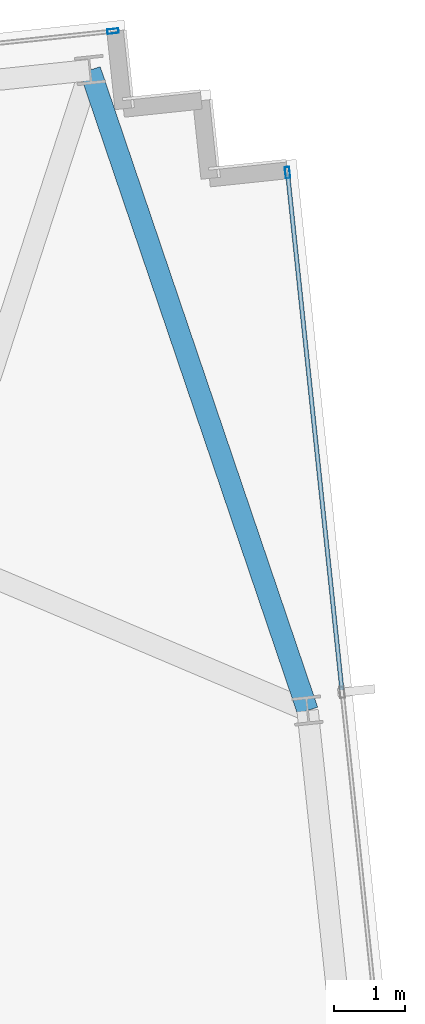
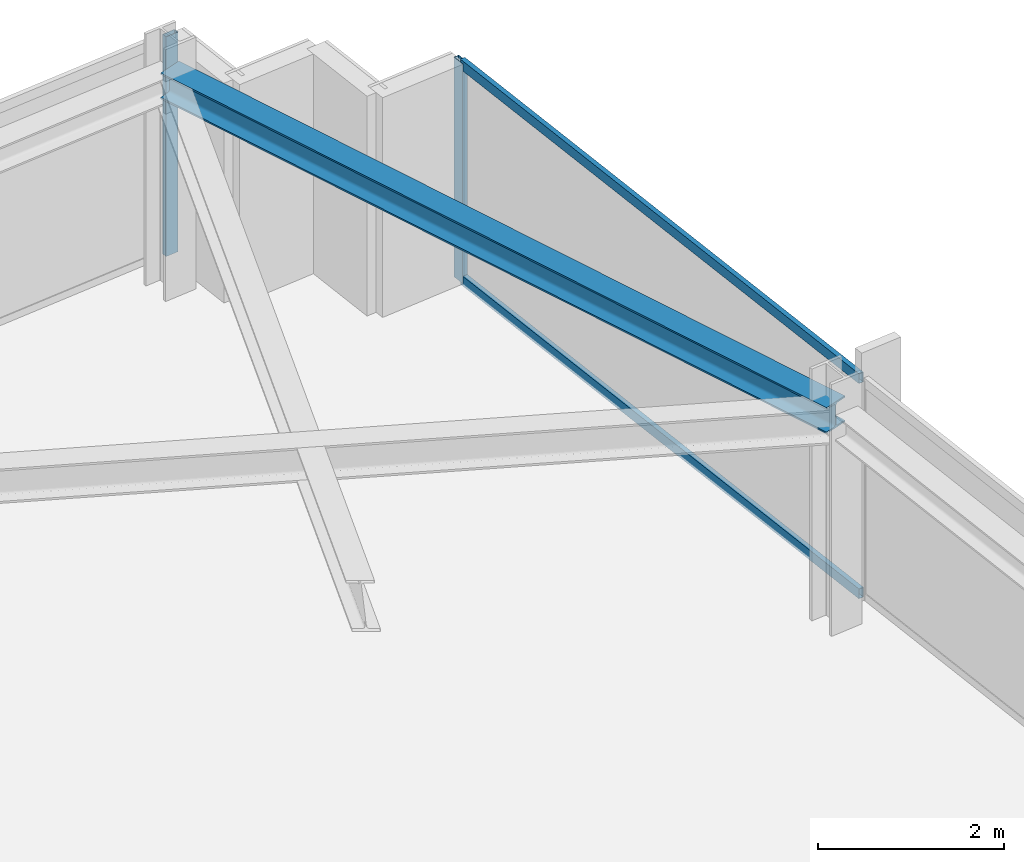
# One storey, part 25 of 33: 4 members, 1 beam, 2 elements without a shape of their own.
"""IFC4 building model written with IfcOpenShell, lengths in metres."""

from ifc_helpers import new_model, si_unit, direction, frame, origin, origin_2d, place, context, subcontext, project, spatial, hollow_rectangle, i_section, extrude, material, material_profile, profile_set, type_object, element, aggregate, save


model = new_model("IFC4")

# Units and contexts
model_context = context("Model", 3, precision=1e-05, world=origin(), true_north=direction((0.0, 1.0)))
body_context = subcontext(model_context, "Body", "Model", "MODEL_VIEW")
ifc_project = project(units=[si_unit("LENGTHUNIT", "METRE"), si_unit("AREAUNIT", "SQUARE_METRE"), si_unit("VOLUMEUNIT", "CUBIC_METRE"), si_unit("PLANEANGLEUNIT", "RADIAN"), si_unit("MASSUNIT", "GRAM", prefix="KILO")], contexts=[model_context])

# Site, building, storey
site_placement = place(None, origin())
site = spatial("IfcSite", under=ifc_project, at=site_placement, CompositionType="ELEMENT")
building_placement = place(site_placement, origin())
building = spatial("IfcBuilding", under=site, at=building_placement, Name="Yelkora Congress Tower", CompositionType="ELEMENT")
storey_placement = place(building_placement, frame((0.0, 0.0, 244.10009765625)))
storey = spatial("IfcBuildingStorey", under=building, at=storey_placement, Name="L68", CompositionType="ELEMENT", Elevation=244.10009765625)

# Beam
ifc_material_1 = material(Name="Steel S355J2", Category="steel")
ifc_material_profile_1 = material_profile(ifc_material_1, i_section(OverallWidth=0.300048828125, OverallDepth=0.340087890625, WebThickness=0.011962890625, FlangeThickness=0.021484375, FilletRadius=0.027099609375, at=origin_2d()), Name="HEB 340")
ifc_profile_set_1 = profile_set([ifc_material_profile_1], Name="Steel S355J2")
beam_type = type_object("IfcBeamType", Name="BM-SPAN-HEB340", PredefinedType="SPANDREL", material=ifc_profile_set_1)
beam_placement = place(storey_placement, frame((68.85400390625, 41.431884765625, 2.7099609375), z_axis=(-0.321575477611, 0.946883948644, 0.0), x_axis=(-0.946883948644, -0.321575477611, 0.0)))
element("IfcBeam", 1, at=beam_placement, inside=storey, type_object=beam_type, Name="L68 Perimeter Beam 12", PredefinedType="SPANDREL", context=body_context, shape_type="SweptSolid", body=[
    extrude(i_section(OverallWidth=0.300048828125, OverallDepth=0.340087890625, WebThickness=0.011962890625, FlangeThickness=0.021484375, FilletRadius=0.027099609375, at=origin_2d()), origin(), (0.0, 0.0, 1.0), 9.509765625),
])

# Curtain wall, member
ifc_material_2 = material(Name="Anodised aluminium and insulated glass", Category="aluminium")
curtain_wall_type = type_object("IfcCurtainWallType", Name="CW-SYS-B4", PredefinedType="NOTDEFINED", material=ifc_material_2)
curtain_wall_1_placement = place(storey_placement, origin())
curtain_wall_1 = element("IfcCurtainWall", 2, at=curtain_wall_1_placement, inside=storey, type_object=curtain_wall_type, Name="L68 Unitised Curtain Wall 10 (3)", PredefinedType="NOTDEFINED")
ifc_material_3 = material(Name="Anodised aluminium 6063-T6", Category="aluminium")
ifc_material_profile_2 = material_profile(ifc_material_3, hollow_rectangle(XDim=0.06494140625, YDim=0.159912109375, WallThickness=0.00390625, at=origin_2d()), Name="ALU 65x160x4")
ifc_profile_set_2 = profile_set([ifc_material_profile_2], Name="Anodised aluminium 6063-T6")
member_type_1 = type_object("IfcMemberType", Name="MEM-ML-B4", PredefinedType="MULLION", material=ifc_profile_set_2)
member_1_placement = place(storey_placement, frame((66.1181640625, 50.983154296875, 0.0), z_axis=(0.0, 0.0, 1.0), x_axis=(-0.104527724021, 0.994521973066, 0.0)))
member_1 = element("IfcMember", 3, at=member_1_placement, type_object=member_type_1, Name="CW-B4 mullion 7", PredefinedType="MULLION", context=body_context, shape_type="SweptSolid", body=[
    extrude(hollow_rectangle(XDim=0.06494140625, YDim=0.159912109375, WallThickness=0.00390625, at=origin_2d()), origin(), (0.0, 0.0, 1.0), 2.8798828125),
])
aggregate(curtain_wall_1, [member_1])

# Curtain wall, members
curtain_wall_2_placement = place(storey_placement, origin())
curtain_wall_2 = element("IfcCurtainWall", 4, at=curtain_wall_2_placement, inside=storey, type_object=curtain_wall_type, Name="L68 Unitised Curtain Wall 15", PredefinedType="NOTDEFINED")
member_2_placement = place(storey_placement, frame((68.57177734375, 48.996337890625, 0.0), z_axis=(0.0, 0.0, 1.0), x_axis=(0.994522182968, 0.104525726898, 0.0)))
member_2 = element("IfcMember", 5, at=member_2_placement, type_object=member_type_1, Name="CW-B4 mullion 1", PredefinedType="MULLION", context=body_context, shape_type="SweptSolid", body=[
    extrude(hollow_rectangle(XDim=0.06494140625, YDim=0.159912109375, WallThickness=0.00390625, at=origin_2d()), origin(), (0.0, 0.0, 1.0), 2.8798828125),
])
ifc_material_profile_3 = material_profile(ifc_material_3, hollow_rectangle(XDim=0.06005859375, YDim=0.1298828125, WallThickness=0.00390625, at=origin_2d()), Name="ALU 60x130x4")
ifc_profile_set_3 = profile_set([ifc_material_profile_3], Name="Anodised aluminium 6063-T6")
member_type_2 = type_object("IfcMemberType", Name="MEM-TR-B4", PredefinedType="USERDEFINED", material=ifc_profile_set_3)
member_3_placement = place(storey_placement, frame((68.5751953125, 48.9638671875, 0.02978515625), z_axis=(0.104531210832, -0.994521606584, 0.0), x_axis=(0.994521606584, 0.104531210832, 0.0)))
member_3 = element("IfcMember", 6, at=member_3_placement, type_object=member_type_2, Name="CW-B4 transom 1.1", ObjectType="TRANSOM", PredefinedType="USERDEFINED", context=body_context, shape_type="SweptSolid", body=[
    extrude(hollow_rectangle(XDim=0.06005859375, YDim=0.1298828125, WallThickness=0.00390625, at=origin_2d()), origin(), (0.0, 0.0, 1.0), 7.2822265625),
])
member_4_placement = place(storey_placement, frame((68.5751953125, 48.9638671875, 2.849853515625), z_axis=(0.104531210832, -0.994521606584, 0.0), x_axis=(0.994521606584, 0.104531210832, 0.0)))
member_4 = element("IfcMember", 7, at=member_4_placement, type_object=member_type_2, Name="CW-B4 transom 1.2", ObjectType="TRANSOM", PredefinedType="USERDEFINED", context=body_context, shape_type="SweptSolid", body=[
    extrude(hollow_rectangle(XDim=0.06005859375, YDim=0.1298828125, WallThickness=0.00390625, at=origin_2d()), origin(), (0.0, 0.0, 1.0), 7.2822265625),
])
aggregate(curtain_wall_2, [member_2, member_3, member_4])

save(model, "model.ifc")
